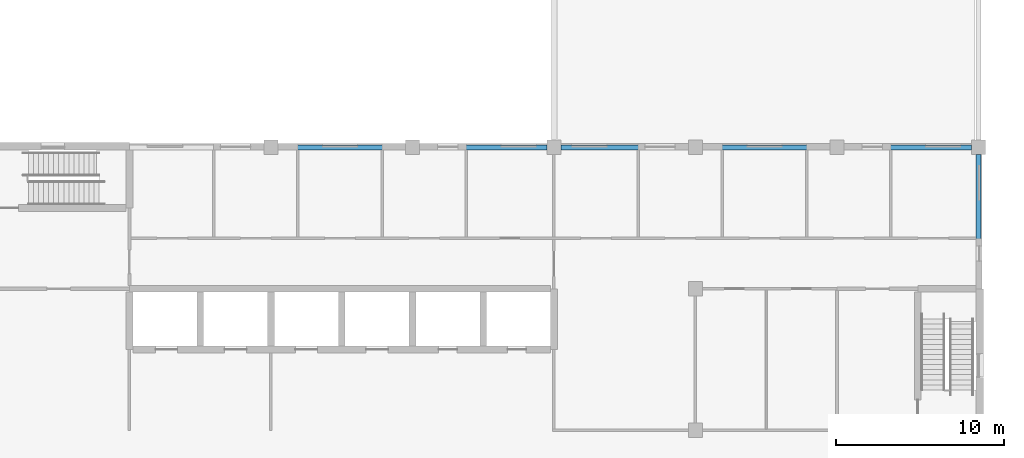
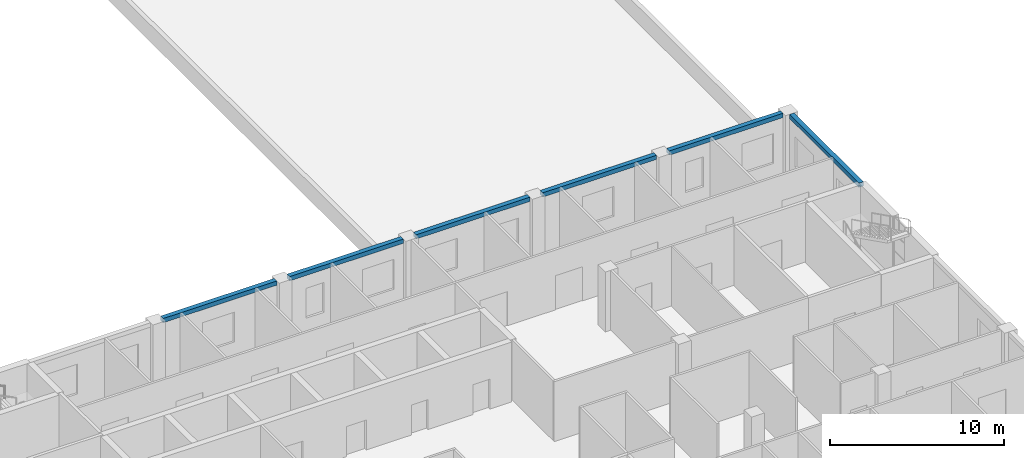
# One storey, part 21 of 66: 6 beams.
"""IFC4 building model written with IfcOpenShell, lengths in metres."""

from ifc_helpers import new_model, si_unit, direction, frame, origin, origin_2d, place, context, subcontext, project, spatial, rectangle, extrude, material, material_profile, profile_set, type_object, element, save


model = new_model("IFC4")

# Units and contexts
model_context = context("Model", 3, precision=1e-05, world=origin(), true_north=direction((0.0, 1.0)))
body_context = subcontext(model_context, "Body", "Model", "MODEL_VIEW")
ifc_project = project(units=[si_unit("LENGTHUNIT", "METRE"), si_unit("AREAUNIT", "SQUARE_METRE"), si_unit("VOLUMEUNIT", "CUBIC_METRE"), si_unit("PLANEANGLEUNIT", "RADIAN"), si_unit("MASSUNIT", "GRAM", prefix="KILO")], contexts=[model_context])

# Site, building, storey
site_placement = place(None, origin())
site = spatial("IfcSite", under=ifc_project, at=site_placement, CompositionType="ELEMENT")
building_placement = place(site_placement, origin())
building = spatial("IfcBuilding", under=site, at=building_placement, Name="Yavir Park General Hospital", CompositionType="ELEMENT")
storey_placement = place(building_placement, frame((0.0, 0.0, 8.39990234375)))
storey = spatial("IfcBuildingStorey", under=building, at=storey_placement, Name="L02", CompositionType="ELEMENT", Elevation=8.39990234375)

# Beams
ifc_material = material(Name="Concrete C35/45", Category="concrete")
ifc_material_profile = material_profile(ifc_material, rectangle(XDim=0.300048828125, YDim=0.300048828125, at=origin_2d()), Name="RC300x300")
ifc_profile_set = profile_set([ifc_material_profile], Name="Concrete C35/45")
beam_type = type_object("IfcBeamType", Name="RC BEAM 300x300 edge beam", PredefinedType="BEAM", material=ifc_profile_set)
for number, where, z_axis, x_axis, name in (
    (1, (126.425048828125, 33.60009765625, 4.050048828125), (1.0, 0.0, 0.0), (0.0, 1.0, 0.0), "B:EDGE:L02:027"),
    (2, (134.824951171875, 33.60009765625, 4.050048828125), (1.0, 0.0, 0.0), (0.0, 1.0, 0.0), "B:EDGE:L02:028"),
):
    element("IfcBeam", number, at=place(storey_placement, frame(where, z_axis=z_axis, x_axis=x_axis)), inside=storey, type_object=beam_type, Name=name, PredefinedType="BEAM", context=body_context, shape_type="SweptSolid", body=[
        extrude(rectangle(XDim=0.300048828125, YDim=0.300048828125, at=origin_2d()), origin(), (0.0, 0.0, 1.0), 7.550048828125),
    ])
beam_1_placement = place(storey_placement, frame((143.22509765625, 33.60009765625, 4.050048828125), z_axis=(1.0, 0.0, 0.0), x_axis=(0.0, 1.0, 0.0)))
element("IfcBeam", 3, at=beam_1_placement, inside=storey, type_object=beam_type, Name="B:EDGE:L02:029", PredefinedType="BEAM", context=body_context, shape_type="SweptSolid", body=[
    extrude(rectangle(XDim=0.300048828125, YDim=0.300048828125, at=origin_2d()), origin(), (0.0, 0.0, 1.0), 7.5498046875),
])
for number, where, z_axis, x_axis, name in (
    (4, (151.625, 33.60009765625, 4.050048828125), (1.0, 0.0, 0.0), (0.0, 1.0, 0.0), "B:EDGE:L02:030"),
    (5, (160.02490234375, 33.60009765625, 4.050048828125), (1.0, 0.0, 0.0), (0.0, 1.0, 0.0), "B:EDGE:L02:031"),
):
    element("IfcBeam", number, at=place(storey_placement, frame(where, z_axis=z_axis, x_axis=x_axis)), inside=storey, type_object=beam_type, Name=name, PredefinedType="BEAM", context=body_context, shape_type="SweptSolid", body=[
        extrude(rectangle(XDim=0.300048828125, YDim=0.300048828125, at=origin_2d()), origin(), (0.0, 0.0, 1.0), 7.550048828125),
    ])
beam_2_placement = place(storey_placement, frame((168.0, 25.199951171875, 4.050048828125), z_axis=(0.0, 1.0, 0.0), x_axis=(-1.0, 0.0, 0.0)))
element("IfcBeam", 6, at=beam_2_placement, inside=storey, type_object=beam_type, Name="B:EDGE:L02:054", PredefinedType="BEAM", context=body_context, shape_type="SweptSolid", body=[
    extrude(rectangle(XDim=0.300048828125, YDim=0.300048828125, at=origin_2d()), origin(), (0.0, 0.0, 1.0), 7.97509765625),
])

save(model, "model.ifc")
